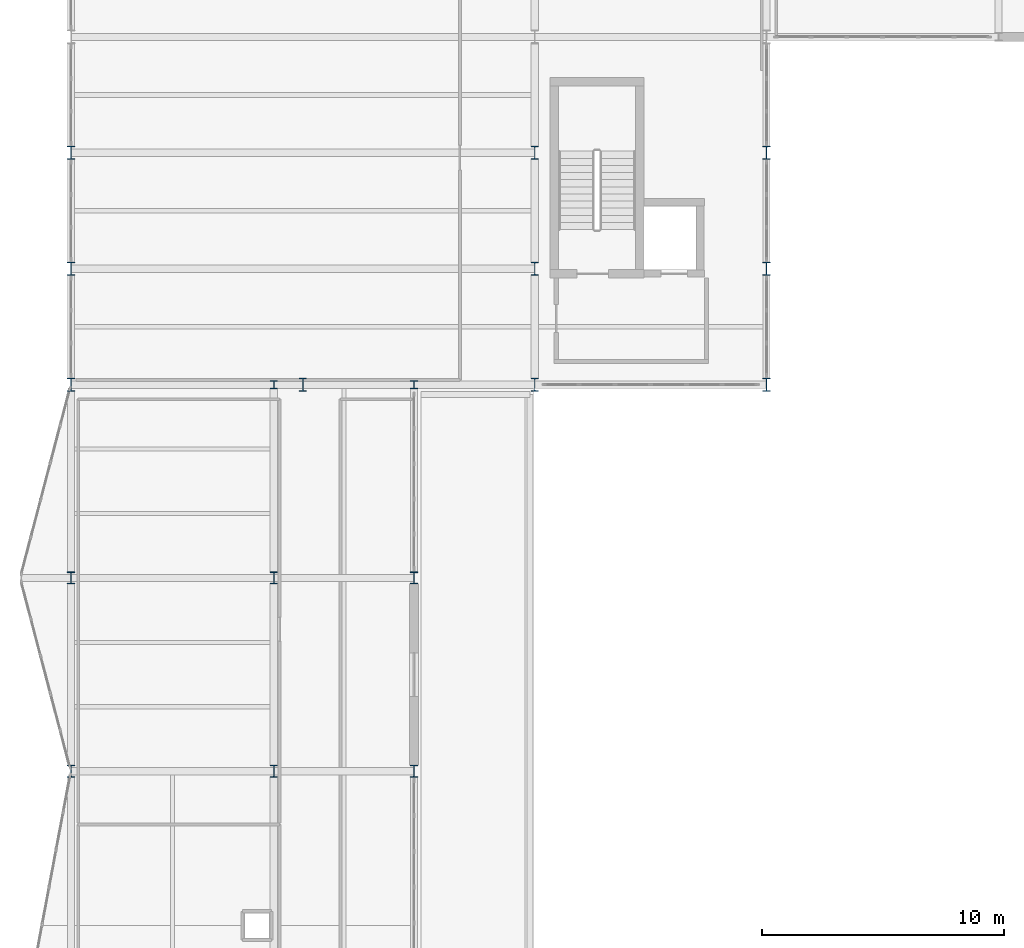
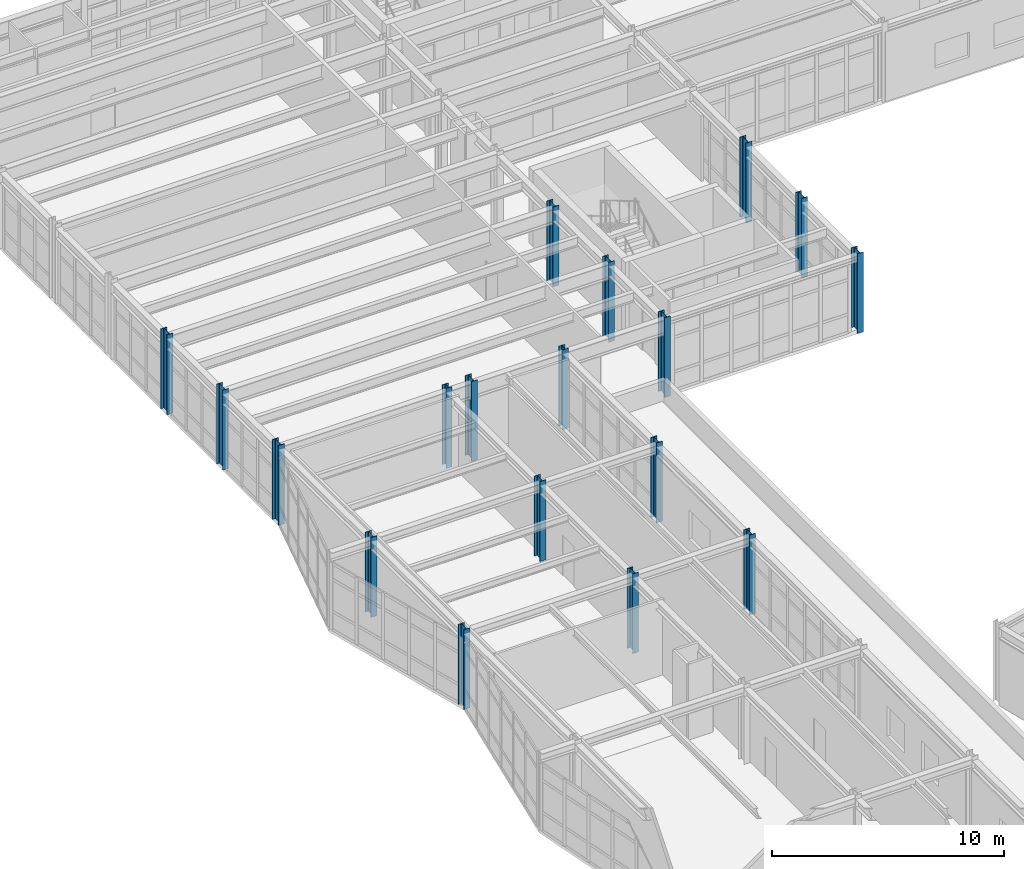
# One storey, part 4 of 64: 18 columns.
"""IFC4 building model written with IfcOpenShell, lengths in metres."""

from ifc_helpers import new_model, si_unit, direction, frame, origin, origin_2d, place, context, subcontext, project, spatial, i_section, extrude, material, material_profile, profile_set, type_object, element, save


model = new_model("IFC4")

# Units and contexts
model_context = context("Model", 3, precision=1e-05, world=origin(), true_north=direction((0.0, 1.0)))
body_context = subcontext(model_context, "Body", "Model", "MODEL_VIEW")
ifc_project = project(units=[si_unit("LENGTHUNIT", "METRE"), si_unit("AREAUNIT", "SQUARE_METRE"), si_unit("VOLUMEUNIT", "CUBIC_METRE"), si_unit("PLANEANGLEUNIT", "RADIAN"), si_unit("MASSUNIT", "GRAM", prefix="KILO")], contexts=[model_context])

# Site, building, storey
site_placement = place(None, origin())
site = spatial("IfcSite", under=ifc_project, at=site_placement, CompositionType="ELEMENT")
building_placement = place(site_placement, origin())
building = spatial("IfcBuilding", under=site, at=building_placement, Name="Nordkorset Police Headquarters", CompositionType="ELEMENT")
storey_placement = place(building_placement, frame((0.0, 0.0, 17.85009765625)))
storey = spatial("IfcBuildingStorey", under=building, at=storey_placement, Name="L04", CompositionType="ELEMENT", Elevation=17.85009765625)

# Columns
ifc_material_1 = material(Name="Steel S355J2", Category="steel")
ifc_material_profile_1 = material_profile(ifc_material_1, i_section(OverallWidth=0.300048828125, OverallDepth=0.340087890625, WebThickness=0.011962890625, FlangeThickness=0.021484375, FilletRadius=0.027099609375, at=origin_2d()), Name="HEB 340")
ifc_profile_set_1 = profile_set([ifc_material_profile_1], Name="Steel S355J2")
column_type_1 = type_object("IfcColumnType", Name="Col_HEB_340", PredefinedType="COLUMN", material=ifc_profile_set_1)
for number, where, z_axis, x_axis, name in (
    (1, (8.39990234375, 83.199951171875, 0.0), (0.0, 0.0, 1.0), (1.0, 0.0, 0.0), "Structural Column V3_X1_6 L04"),
    (2, (14.199951171875, 83.199951171875, 0.0), (0.0, 0.0, 1.0), (1.0, 0.0, 0.0), "Structural Column V3_X2_6 L04"),
):
    element("IfcColumn", number, at=place(storey_placement, frame(where, z_axis=z_axis, x_axis=x_axis)), inside=storey, type_object=column_type_1, Name=name, PredefinedType="COLUMN", context=body_context, shape_type="SweptSolid", body=[
        extrude(i_section(OverallWidth=0.300048828125, OverallDepth=0.340087890625, WebThickness=0.011962890625, FlangeThickness=0.021484375, FilletRadius=0.027099609375, at=origin_2d()), origin(), (0.0, 0.0, 1.0), 4.199951171875),
    ])
ifc_material_2 = material(Name="Steel S355J2", Category="steel")
ifc_material_profile_2 = material_profile(ifc_material_2, i_section(OverallWidth=0.300048828125, OverallDepth=0.5, WebThickness=0.014404296875, FlangeThickness=0.028076171875, FilletRadius=0.027099609375, at=origin_2d()), Name="HEB 500")
ifc_profile_set_2 = profile_set([ifc_material_profile_2], Name="Steel S355J2")
column_type_2 = type_object("IfcColumnType", Name="Col_HEB_500", PredefinedType="COLUMN", material=ifc_profile_set_2)
for number, where, z_axis, x_axis, name in (
    (3, (0.0, 67.199951171875, 0.0), (0.0, 0.0, 1.0), (1.0, 0.0, 0.0), "Structural Column V3_X0_4 L04"),
    (4, (8.39990234375, 67.199951171875, 0.0), (0.0, 0.0, 1.0), (1.0, 0.0, 0.0), "Structural Column V3_X1_4 L04"),
    (5, (14.199951171875, 67.199951171875, 0.0), (0.0, 0.0, 1.0), (1.0, 0.0, 0.0), "Structural Column V3_X2_4 L04"),
    (6, (0.0, 75.199951171875, 0.0), (0.0, 0.0, 1.0), (1.0, 0.0, 0.0), "Structural Column V3_X0_5 L04"),
    (7, (8.39990234375, 75.199951171875, 0.0), (0.0, 0.0, 1.0), (1.0, 0.0, 0.0), "Structural Column V3_X1_5 L04"),
    (8, (14.199951171875, 75.199951171875, 0.0), (0.0, 0.0, 1.0), (1.0, 0.0, 0.0), "Structural Column V3_X2_5 L04"),
):
    element("IfcColumn", number, at=place(storey_placement, frame(where, z_axis=z_axis, x_axis=x_axis)), inside=storey, type_object=column_type_2, Name=name, PredefinedType="COLUMN", context=body_context, shape_type="SweptSolid", body=[
        extrude(i_section(OverallWidth=0.300048828125, OverallDepth=0.5, WebThickness=0.014404296875, FlangeThickness=0.028076171875, FilletRadius=0.027099609375, at=origin_2d()), origin(), (0.0, 0.0, 1.0), 4.199951171875),
    ])
ifc_material_3 = material(Name="Steel S355J2", Category="steel")
ifc_material_profile_3 = material_profile(ifc_material_3, i_section(OverallWidth=0.300048828125, OverallDepth=0.550048828125, WebThickness=0.014892578125, FlangeThickness=0.029052734375, FilletRadius=0.027099609375, at=origin_2d()), Name="HEB 550")
ifc_profile_set_3 = profile_set([ifc_material_profile_3], Name="Steel S355J2")
column_type_3 = type_object("IfcColumnType", Name="Col_HEB_550", PredefinedType="COLUMN", material=ifc_profile_set_3)
for number, where, z_axis, x_axis, name in (
    (9, (0.0, 83.199951171875, 0.0), (0.0, 0.0, 1.0), (1.0, 0.0, 0.0), "Structural Column V1_W_0 L04"),
    (10, (28.800048828125, 83.199951171875, 0.0), (0.0, 0.0, 1.0), (1.0, 0.0, 0.0), "Structural Column V1_E_0 L04"),
    (11, (0.0, 88.0, 0.0), (0.0, 0.0, 1.0), (1.0, 0.0, 0.0), "Structural Column V1_W_1 L04"),
    (12, (28.800048828125, 88.0, 0.0), (0.0, 0.0, 1.0), (1.0, 0.0, 0.0), "Structural Column V1_E_1 L04"),
    (13, (0.0, 92.800048828125, 0.0), (0.0, 0.0, 1.0), (1.0, 0.0, 0.0), "Structural Column V1_W_2 L04"),
    (14, (28.800048828125, 92.800048828125, 0.0), (0.0, 0.0, 1.0), (1.0, 0.0, 0.0), "Structural Column V1_E_2 L04"),
    (15, (9.60009765625, 83.199951171875, 0.0), (0.0, 0.0, 1.0), (1.0, 0.0, 0.0), "Structural Column V1_S_0 L04"),
    (16, (19.199951171875, 83.199951171875, 0.0), (0.0, 0.0, 1.0), (1.0, 0.0, 0.0), "Structural Column V1_S_1 L04"),
    (17, (19.199951171875, 88.0, 0.0), (0.0, 0.0, 1.0), (1.0, 0.0, 0.0), "Structural Column V1_CW_0 L04"),
    (18, (19.199951171875, 92.800048828125, 0.0), (0.0, 0.0, 1.0), (1.0, 0.0, 0.0), "Structural Column V1_CW_1 L04"),
):
    element("IfcColumn", number, at=place(storey_placement, frame(where, z_axis=z_axis, x_axis=x_axis)), inside=storey, type_object=column_type_3, Name=name, PredefinedType="COLUMN", context=body_context, shape_type="SweptSolid", body=[
        extrude(i_section(OverallWidth=0.300048828125, OverallDepth=0.550048828125, WebThickness=0.014892578125, FlangeThickness=0.029052734375, FilletRadius=0.027099609375, at=origin_2d()), origin(), (0.0, 0.0, 1.0), 4.199951171875),
    ])

save(model, "model.ifc")
